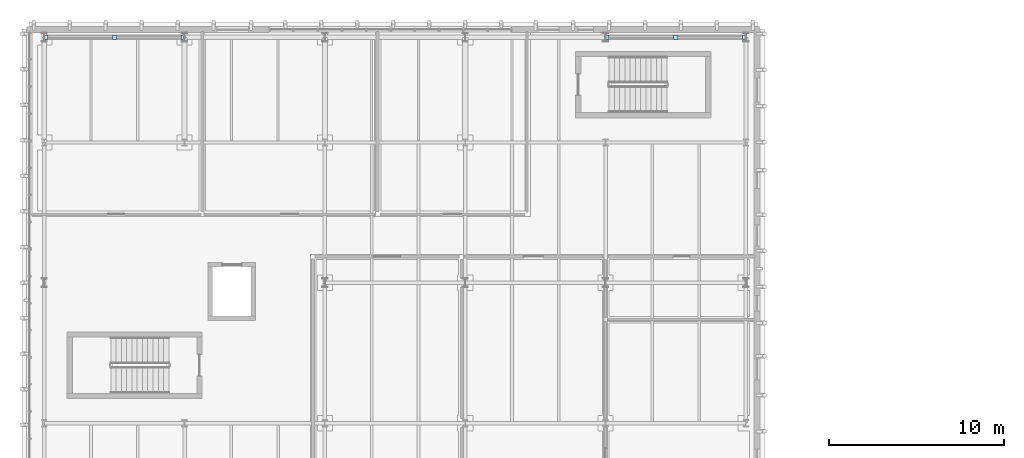
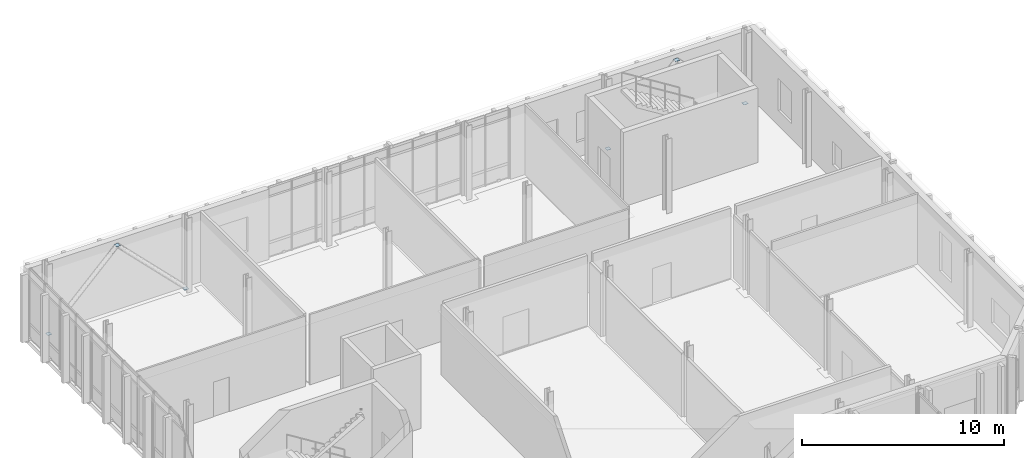
# One storey, part 63 of 100: 6 plates.
"""IFC4 building model written with IfcOpenShell, lengths in metres."""

from ifc_helpers import new_model, si_unit, direction, frame, origin, origin_2d, place, context, subcontext, project, spatial, rectangle, extrude, material, layer, layer_set, type_object, element, save


model = new_model("IFC4")

# Units and contexts
model_context = context("Model", 3, precision=1e-05, world=origin(), true_north=direction((0.0, 1.0)))
body_context = subcontext(model_context, "Body", "Model", "MODEL_VIEW")
ifc_project = project(units=[si_unit("LENGTHUNIT", "METRE"), si_unit("AREAUNIT", "SQUARE_METRE"), si_unit("VOLUMEUNIT", "CUBIC_METRE"), si_unit("PLANEANGLEUNIT", "RADIAN"), si_unit("MASSUNIT", "GRAM", prefix="KILO")], contexts=[model_context])

# Site, building, storey
site_placement = place(None, origin())
site = spatial("IfcSite", under=ifc_project, at=site_placement, CompositionType="ELEMENT")
building_placement = place(site_placement, origin())
building = spatial("IfcBuilding", under=site, at=building_placement, Name="Cymarion Research Institute", CompositionType="ELEMENT")
storey_placement = place(building_placement, frame((0.0, 0.0, 4.800048828125)))
storey = spatial("IfcBuildingStorey", under=building, at=storey_placement, Name="L01", CompositionType="ELEMENT", Elevation=4.800048828125)

# Plates
ifc_material = material(Name="Steel S355", Category="steel")
ifc_layer = layer(ifc_material, 0.011962890625)
ifc_layer_set = layer_set([ifc_layer], Name="Steel S355")
plate_type = type_object("IfcPlateType", Name="STEEL NODE GUSSET PLATE CP02 12MM", PredefinedType="USERDEFINED", material=ifc_layer_set)
for number, where, z_axis, x_axis, name in (
    (1, (10.60009765625, 115.5, 4.10400390625), (0.0, 0.0, 1.0), (1.0, 0.0, 0.0), "L01 V5 chevron apex gusset plate"),
    (2, (6.68505859375, 115.5, 0.11376953125), (0.0, 0.0, 1.0), (1.0, 0.0, 0.0), "L01 V5 chevron base gusset plate #1"),
    (3, (14.514892578125, 115.5, 0.11376953125), (0.0, 0.0, 1.0), (1.0, 0.0, 0.0), "L01 V5 chevron base gusset plate #2"),
    (4, (42.60009765625, 115.5, 4.10400390625), (0.0, 0.0, 1.0), (1.0, 0.0, 0.0), "L01 V5 chevron apex gusset plate"),
    (5, (38.68505859375, 115.5, 0.11376953125), (0.0, 0.0, 1.0), (1.0, 0.0, 0.0), "L01 V5 chevron base gusset plate #1"),
    (6, (46.514892578125, 115.5, 0.11376953125), (0.0, 0.0, 1.0), (1.0, 0.0, 0.0), "L01 V5 chevron base gusset plate #2"),
):
    element("IfcPlate", number, at=place(storey_placement, frame(where, z_axis=z_axis, x_axis=x_axis)), inside=storey, type_object=plate_type, Name=name, ObjectType="GUSSET PLATE", PredefinedType="USERDEFINED", context=body_context, shape_type="SweptSolid", body=[
        extrude(rectangle(XDim=0.239990234375, YDim=0.239990234375, at=origin_2d()), origin(), (0.0, 0.0, 1.0), 0.011962890625),
    ])

save(model, "model.ifc")
